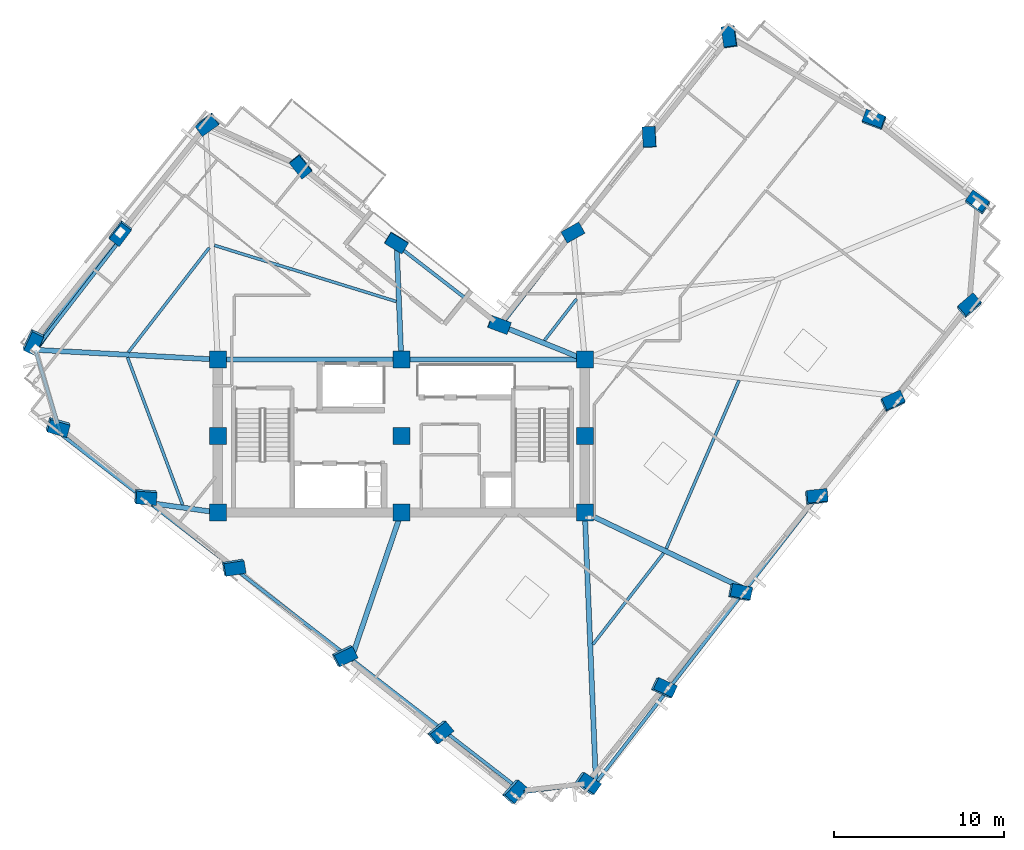
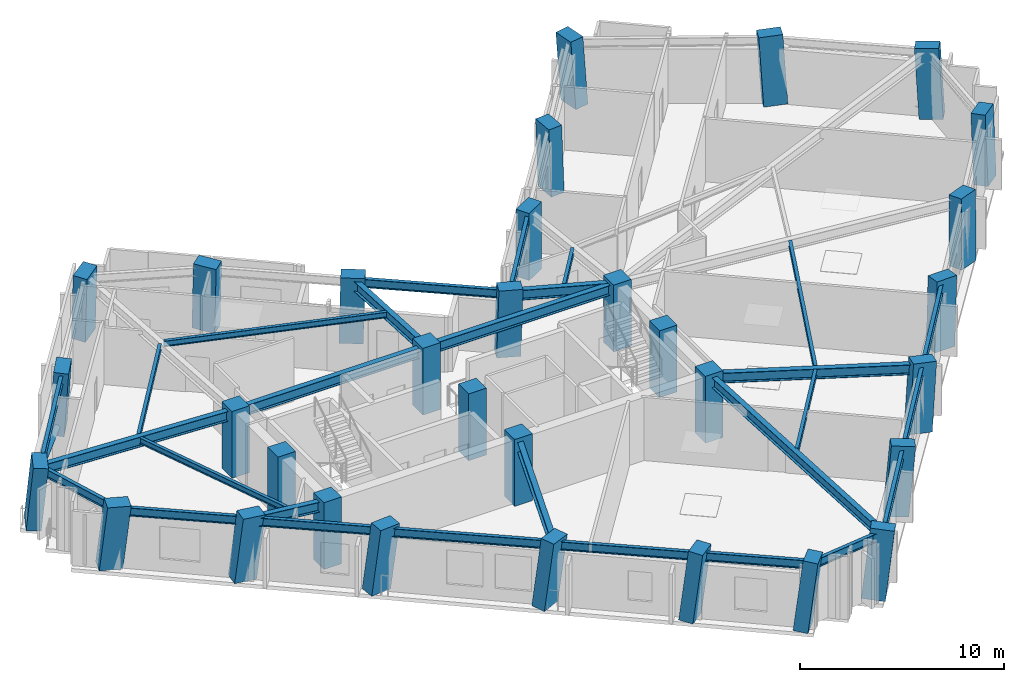
# One storey, part 1 of 10: 32 columns, 28 beams, 1 member.
"""IFC4 building model written with IfcOpenShell, lengths in metres."""

from ifc_helpers import new_model, si_unit, direction, frame, origin, origin_2d, place, context, subcontext, project, spatial, rectangle, hollow_circle, i_section, extrude, material, material_profile, profile_set, type_object, element, save


model = new_model("IFC4")

# Units and contexts
model_context = context("Model", 3, precision=1e-05, world=origin(), true_north=direction((0.0, 1.0)))
body_context = subcontext(model_context, "Body", "Model", "MODEL_VIEW")
ifc_project = project(units=[si_unit("LENGTHUNIT", "METRE"), si_unit("AREAUNIT", "SQUARE_METRE"), si_unit("VOLUMEUNIT", "CUBIC_METRE"), si_unit("PLANEANGLEUNIT", "RADIAN"), si_unit("MASSUNIT", "GRAM", prefix="KILO")], contexts=[model_context])

# Site, building, storey
site_placement = place(None, origin())
site = spatial("IfcSite", under=ifc_project, at=site_placement, CompositionType="ELEMENT")
building_placement = place(site_placement, origin())
building = spatial("IfcBuilding", under=site, at=building_placement, Name="Gaonmaruhae Medical Tower", CompositionType="ELEMENT")
storey_placement = place(building_placement, frame((0.0, 0.0, 243.199951171875)))
storey = spatial("IfcBuildingStorey", under=building, at=storey_placement, Name="L58", CompositionType="ELEMENT", Elevation=243.199951171875)

# Columns
ifc_material_1 = material(Name="Concrete C50/60", Category="concrete")
ifc_material_profile_1 = material_profile(ifc_material_1, rectangle(XDim=1.0, YDim=1.0, at=origin_2d()), Name="RC-1000x1000")
ifc_profile_set_1 = profile_set([ifc_material_profile_1], Name="Concrete C50/60")
column_type_1 = type_object("IfcColumnType", Name="CC-05 Zone 4 Core Column (RC-1000x1000)", PredefinedType="COLUMN", material=ifc_profile_set_1)
for number, where, z_axis, x_axis, name in (
    (1, (14.0, 7.800048828125, 0.0), (0.0, 0.0, 1.0), (1.0, 0.0, 0.0), "L58 Plumb Core Column CC11"),
    (2, (14.0, 12.300048828125, 0.0), (0.0, 0.0, 1.0), (1.0, 0.0, 0.0), "L58 Plumb Core Column CC12"),
    (3, (14.0, 16.800048828125, 0.0), (0.0, 0.0, 1.0), (1.0, 0.0, 0.0), "L58 Plumb Core Column CC13"),
    (4, (24.800048828125, 7.800048828125, 0.0), (0.0, 0.0, 1.0), (1.0, 0.0, 0.0), "L58 Plumb Core Column CC21"),
    (5, (24.800048828125, 12.300048828125, 0.0), (0.0, 0.0, 1.0), (1.0, 0.0, 0.0), "L58 Plumb Core Column CC22"),
    (6, (24.800048828125, 16.800048828125, 0.0), (0.0, 0.0, 1.0), (1.0, 0.0, 0.0), "L58 Plumb Core Column CC23"),
    (7, (35.60009765625, 7.800048828125, 0.0), (0.0, 0.0, 1.0), (1.0, 0.0, 0.0), "L58 Plumb Core Column CC31"),
    (8, (35.60009765625, 12.300048828125, 0.0), (0.0, 0.0, 1.0), (1.0, 0.0, 0.0), "L58 Plumb Core Column CC32"),
    (9, (35.60009765625, 16.800048828125, 0.0), (0.0, 0.0, 1.0), (1.0, 0.0, 0.0), "L58 Plumb Core Column CC33"),
):
    element("IfcColumn", number, at=place(storey_placement, frame(where, z_axis=z_axis, x_axis=x_axis)), inside=storey, type_object=column_type_1, Name=name, PredefinedType="COLUMN", context=body_context, shape_type="SweptSolid", body=[
        extrude(rectangle(XDim=1.0, YDim=1.0, at=origin_2d()), origin(), (0.0, 0.0, 1.0), 4.0),
    ])
ifc_material_profile_2 = material_profile(ifc_material_1, rectangle(XDim=1.199951171875, YDim=0.75, at=origin_2d()), Name="RC-1200x750")
ifc_profile_set_2 = profile_set([ifc_material_profile_2], Name="Concrete C50/60")
column_type_2 = type_object("IfcColumnType", Name="TC-03 Upper Raking Tube Pier Column (RC-1200x750)", PredefinedType="COLUMN", material=ifc_profile_set_2)
column_1_placement = place(storey_placement, frame((35.708984375, -8.154052734375, 0.001953125), z_axis=(0.135217529661, 0.009744862254, 0.990768013882), x_axis=(-0.816168732472, 0.56804456652, 0.10580156229)))
element("IfcColumn", 10, at=column_1_placement, inside=storey, type_object=column_type_2, Name="L58 Perimeter Tube Column S01", PredefinedType="COLUMN", context=body_context, shape_type="SweptSolid", body=[
    extrude(rectangle(XDim=1.199951171875, YDim=0.75, at=origin_2d()), origin(), (0.0, 0.0, 1.0), 4.03369140625),
])
column_2_placement = place(storey_placement, frame((40.210693359375, -2.534912109375, 0.001953125), z_axis=(0.11231894172, 0.028155585607, 0.993273234478), x_axis=(-0.903945107559, 0.417991194492, 0.090369263843)))
element("IfcColumn", 11, at=column_2_placement, inside=storey, type_object=column_type_2, Name="L58 Perimeter Tube Column S02", PredefinedType="COLUMN", context=body_context, shape_type="SweptSolid", body=[
    extrude(rectangle(XDim=1.199951171875, YDim=0.75, at=origin_2d()), origin(), (0.0, 0.0, 1.0), 4.0234375),
])
column_3_placement = place(storey_placement, frame((44.71240234375, 3.084228515625, 0.001953125), z_axis=(0.089166068551, 0.046558424342, 0.994928000079), x_axis=(-0.977687952498, 0.194842278768, 0.078503209773)))
element("IfcColumn", 12, at=column_3_placement, inside=storey, type_object=column_type_2, Name="L58 Perimeter Tube Column S03", PredefinedType="COLUMN", context=body_context, shape_type="SweptSolid", body=[
    extrude(rectangle(XDim=1.199951171875, YDim=0.75, at=origin_2d()), origin(), (0.0, 0.0, 1.0), 4.0166015625),
])
column_4_placement = place(storey_placement, frame((49.214111328125, 8.703369140625, 0.001953125), z_axis=(0.065877853379, 0.064965417737, 0.995710601999), x_axis=(-0.992318458895, -0.100449894077, 0.072207305141)))
element("IfcColumn", 13, at=column_4_placement, inside=storey, type_object=column_type_2, Name="L58 Perimeter Tube Column S04", PredefinedType="COLUMN", context=body_context, shape_type="SweptSolid", body=[
    extrude(rectangle(XDim=1.199951171875, YDim=0.75, at=origin_2d()), origin(), (0.0, 0.0, 1.0), 4.013671875),
])
column_5_placement = place(storey_placement, frame((53.7158203125, 14.322509765625, 0.001953125), z_axis=(0.042515411902, 0.0833277744, 0.995614846095), x_axis=(-0.91007427628, -0.407964187459, 0.073007077765)))
element("IfcColumn", 14, at=column_5_placement, inside=storey, type_object=column_type_2, Name="L58 Perimeter Tube Column S05", PredefinedType="COLUMN", context=body_context, shape_type="SweptSolid", body=[
    extrude(rectangle(XDim=1.199951171875, YDim=0.75, at=origin_2d()), origin(), (0.0, 0.0, 1.0), 4.013916015625),
])
column_6_placement = place(storey_placement, frame((58.217529296875, 19.94140625, 0.001953125), z_axis=(0.019140338397, 0.10171722691, 0.994629203872), x_axis=(-0.758005842311, -0.647226631841, 0.080776420186)))
element("IfcColumn", 15, at=column_6_placement, inside=storey, type_object=column_type_2, Name="L58 Perimeter Tube Column S06", PredefinedType="COLUMN", context=body_context, shape_type="SweptSolid", body=[
    extrude(rectangle(XDim=1.199951171875, YDim=0.75, at=origin_2d()), origin(), (0.0, 0.0, 1.0), 4.017822265625),
])
column_7_placement = place(storey_placement, frame((58.721435546875, 26.008544921875, 0.001953125), z_axis=(-0.005833123973, 0.103537950515, 0.994608399054), x_axis=(0.81417436665, -0.576988739135, 0.064838997537)))
element("IfcColumn", 16, at=column_7_placement, inside=storey, type_object=column_type_2, Name="L58 Perimeter Tube Column E01", PredefinedType="COLUMN", context=body_context, shape_type="SweptSolid", body=[
    extrude(rectangle(XDim=1.199951171875, YDim=0.75, at=origin_2d()), origin(), (0.0, 0.0, 1.0), 4.01806640625),
])
column_8_placement = place(storey_placement, frame((52.634033203125, 30.885498046875, 0.001953125), z_axis=(-0.025814199525, 0.078416719311, 0.996586396273), x_axis=(0.936134083823, -0.347834131917, 0.05161776611)))
element("IfcColumn", 17, at=column_8_placement, inside=storey, type_object=column_type_2, Name="L58 Perimeter Tube Column E02", PredefinedType="COLUMN", context=body_context, shape_type="SweptSolid", body=[
    extrude(rectangle(XDim=1.199951171875, YDim=0.75, at=origin_2d()), origin(), (0.0, 0.0, 1.0), 4.010009765625),
])
column_9_placement = place(storey_placement, frame((44.1259765625, 35.779541015625, 0.001953125), z_axis=(-0.045788475912, 0.043166765574, 0.998018058866), x_axis=(0.137842750982, -0.989235806213, 0.049111054847)))
element("IfcColumn", 18, at=column_9_placement, inside=storey, type_object=column_type_2, Name="L58 Perimeter Tube Column E03", PredefinedType="COLUMN", context=body_context, shape_type="SweptSolid", body=[
    extrude(rectangle(XDim=1.199951171875, YDim=0.75, at=origin_2d()), origin(), (0.0, 0.0, 1.0), 4.00439453125),
])
column_10_placement = place(storey_placement, frame((39.4052734375, 29.88720703125, 0.001953125), z_axis=(-0.021248837038, 0.02387441173, 0.999489119195), x_axis=(0.051546254437, -0.998359061972, 0.024943276301)))
element("IfcColumn", 19, at=column_10_placement, inside=storey, type_object=column_type_2, Name="L58 Perimeter Tube Column EN01", PredefinedType="COLUMN", context=body_context, shape_type="SweptSolid", body=[
    extrude(rectangle(XDim=1.199951171875, YDim=0.75, at=origin_2d()), origin(), (0.0, 0.0, 1.0), 3.998291015625),
])
column_11_placement = place(storey_placement, frame((34.903564453125, 24.26806640625, 0.001953125), z_axis=(0.0021992413, 0.005437013213, 0.999982800965), x_axis=(-0.872261093327, -0.489019053167, 0.004577194397)))
element("IfcColumn", 20, at=column_11_placement, inside=storey, type_object=column_type_2, Name="L58 Perimeter Tube Column EN02", PredefinedType="COLUMN", context=body_context, shape_type="SweptSolid", body=[
    extrude(rectangle(XDim=1.199951171875, YDim=0.75, at=origin_2d()), origin(), (0.0, 0.0, 1.0), 3.996337890625),
])
column_12_placement = place(storey_placement, frame((30.558349609375, 18.843994140625, 0.001953125), z_axis=(0.024793450183, -0.012396725092, 0.999615729185), x_axis=(-0.937758754532, 0.346192687734, 0.027552518172)))
element("IfcColumn", 21, at=column_12_placement, inside=storey, type_object=column_type_2, Name="L58 Perimeter Tube Column KN01", PredefinedType="COLUMN", context=body_context, shape_type="SweptSolid", body=[
    extrude(rectangle(XDim=1.199951171875, YDim=0.75, at=origin_2d()), origin(), (0.0, 0.0, 1.0), 3.997802734375),
])
column_13_placement = place(storey_placement, frame((24.510009765625, 23.689697265625, 0.001953125), z_axis=(0.004883771745, -0.037605042434, 0.999280746115), x_axis=(-0.854397237481, 0.51907919368, 0.023709729507)))
element("IfcColumn", 22, at=column_13_placement, inside=storey, type_object=column_type_2, Name="L58 Perimeter Tube Column NE01", PredefinedType="COLUMN", context=body_context, shape_type="SweptSolid", body=[
    extrude(rectangle(XDim=1.199951171875, YDim=0.75, at=origin_2d()), origin(), (0.0, 0.0, 1.0), 3.999267578125),
])
column_14_placement = place(storey_placement, frame((18.890869140625, 28.19140625, 0.001953125), z_axis=(-0.013535743812, -0.060971818971, 0.998047704737), x_axis=(-0.626641531629, 0.778328635987, 0.039050291158)))
element("IfcColumn", 23, at=column_14_placement, inside=storey, type_object=column_type_2, Name="L58 Perimeter Tube Column NE02", PredefinedType="COLUMN", context=body_context, shape_type="SweptSolid", body=[
    extrude(rectangle(XDim=1.199951171875, YDim=0.75, at=origin_2d()), origin(), (0.0, 0.0, 1.0), 4.004150390625),
])
column_15_placement = place(storey_placement, frame((13.387451171875, 30.678466796875, 0.001953125), z_axis=(-0.023613569545, -0.083682108569, 0.996212680123), x_axis=(0.812887941934, 0.578453483129, 0.067858394573)))
element("IfcColumn", 24, at=column_15_placement, inside=storey, type_object=column_type_2, Name="L58 Perimeter Tube Column N01", PredefinedType="COLUMN", context=body_context, shape_type="SweptSolid", body=[
    extrude(rectangle(XDim=1.199951171875, YDim=0.75, at=origin_2d()), origin(), (0.0, 0.0, 1.0), 4.011474609375),
])
column_16_placement = place(storey_placement, frame((8.260498046875, 24.27880859375, 0.001953125), z_axis=(0.002977078982, -0.104440791242, 0.994526650284), x_axis=(0.60287341433, 0.793658975019, 0.081541876764)))
element("IfcColumn", 25, at=column_16_placement, inside=storey, type_object=column_type_2, Name="L58 Perimeter Tube Column N02", PredefinedType="COLUMN", context=body_context, shape_type="SweptSolid", body=[
    extrude(rectangle(XDim=1.199951171875, YDim=0.75, at=origin_2d()), origin(), (0.0, 0.0, 1.0), 4.018310546875),
])
column_17_placement = place(storey_placement, frame((3.133544921875, 17.879150390625, 0.001953125), z_axis=(0.029505004026, -0.124987316851, 0.991719529587), x_axis=(0.430698749821, 0.896913345621, 0.100224933768)))
element("IfcColumn", 26, at=column_17_placement, inside=storey, type_object=column_type_2, Name="L58 Perimeter Tube Column N03", PredefinedType="COLUMN", context=body_context, shape_type="SweptSolid", body=[
    extrude(rectangle(XDim=1.199951171875, YDim=0.75, at=origin_2d()), origin(), (0.0, 0.0, 1.0), 4.02978515625),
])
column_18_placement = place(storey_placement, frame((4.57470703125, 12.880615234375, 0.001953125), z_axis=(0.04997942226, -0.118860153303, 0.991652318763), x_axis=(-0.959748010489, 0.269043317584, 0.080619164137)))
element("IfcColumn", 27, at=column_18_placement, inside=storey, type_object=column_type_2, Name="L58 Perimeter Tube Column W01", PredefinedType="COLUMN", context=body_context, shape_type="SweptSolid", body=[
    extrude(rectangle(XDim=1.199951171875, YDim=0.75, at=origin_2d()), origin(), (0.0, 0.0, 1.0), 4.030029296875),
])
column_19_placement = place(storey_placement, frame((9.7255859375, 8.754150390625, 0.001953125), z_axis=(0.066848814978, -0.09772544549, 0.992965746257), x_axis=(-0.994667825024, 0.07180168836, 0.074029962925)))
element("IfcColumn", 28, at=column_19_placement, inside=storey, type_object=column_type_2, Name="L58 Perimeter Tube Column W02", PredefinedType="COLUMN", context=body_context, shape_type="SweptSolid", body=[
    extrude(rectangle(XDim=1.199951171875, YDim=0.75, at=origin_2d()), origin(), (0.0, 0.0, 1.0), 4.024658203125),
])
column_20_placement = place(storey_placement, frame((14.915283203125, 4.59619140625, 0.001953125), z_axis=(0.083883747225, -0.076235880257, 0.993555034969), x_axis=(-0.984611682018, -0.159740522039, 0.070871723921)))
element("IfcColumn", 29, at=column_20_placement, inside=storey, type_object=column_type_2, Name="L58 Perimeter Tube Column W03", PredefinedType="COLUMN", context=body_context, shape_type="SweptSolid", body=[
    extrude(rectangle(XDim=1.199951171875, YDim=0.75, at=origin_2d()), origin(), (0.0, 0.0, 1.0), 4.022216796875),
])
column_21_placement = place(storey_placement, frame((21.43212890625, -0.62451171875, 0.001953125), z_axis=(0.105094899911, -0.049210140778, 0.993243889514), x_axis=(-0.893364180772, -0.443436549921, 0.072556644823)))
element("IfcColumn", 30, at=column_21_placement, inside=storey, type_object=column_type_2, Name="L58 Perimeter Tube Column W04", PredefinedType="COLUMN", context=body_context, shape_type="SweptSolid", body=[
    extrude(rectangle(XDim=1.199951171875, YDim=0.75, at=origin_2d()), origin(), (0.0, 0.0, 1.0), 4.0234375),
])
column_22_placement = place(storey_placement, frame((27.05126953125, -5.126220703125, 0.001953125), z_axis=(0.123269637986, -0.025878139341, 0.992035744444), x_axis=(-0.767372566689, -0.6363467869, 0.07875348052)))
element("IfcColumn", 31, at=column_22_placement, inside=storey, type_object=column_type_2, Name="L58 Perimeter Tube Column W05", PredefinedType="COLUMN", context=body_context, shape_type="SweptSolid", body=[
    extrude(rectangle(XDim=1.199951171875, YDim=0.75, at=origin_2d()), origin(), (0.0, 0.0, 1.0), 4.0283203125),
])
column_23_placement = place(storey_placement, frame((31.421630859375, -8.62744140625, 0.001953125), z_axis=(0.137298679474, -0.007805874681, 0.990498935353), x_axis=(-0.662602184612, -0.744019598219, 0.085983617125)))
element("IfcColumn", 32, at=column_23_placement, inside=storey, type_object=column_type_2, Name="L58 Perimeter Tube Column W06", PredefinedType="COLUMN", context=body_context, shape_type="SweptSolid", body=[
    extrude(rectangle(XDim=1.199951171875, YDim=0.75, at=origin_2d()), origin(), (0.0, 0.0, 1.0), 4.03466796875),
])

# Beams
ifc_material_2 = material(Name="Steel SM355", Category="steel")
ifc_material_profile_3 = material_profile(ifc_material_2, i_section(OverallWidth=0.175048828125, OverallDepth=0.35009765625, WebThickness=0.007080078125, FlangeThickness=0.010986328125, FilletRadius=0.012939453125, at=origin_2d()), Name="H-350x175x7x11")
ifc_profile_set_3 = profile_set([ifc_material_profile_3], Name="Steel SM355")
beam_type_1 = type_object("IfcBeamType", Name="FJ-02 Upper Zone Ward Floor Joist (H-350x175x7x11)", PredefinedType="JOIST", material=ifc_profile_set_3)
beam_1_placement = place(storey_placement, frame((36.073486328125, 0.031494140625, 3.60498046875), z_axis=(0.612241965878, 0.790670459305, 0.0), x_axis=(-0.790670459305, 0.612241965878, 0.0)))
element("IfcBeam", 33, at=beam_1_placement, inside=storey, type_object=beam_type_1, Name="L58 Secondary Floor Joist FJ01", PredefinedType="JOIST", context=body_context, shape_type="SweptSolid", body=[
    extrude(i_section(OverallWidth=0.175048828125, OverallDepth=0.35009765625, WebThickness=0.007080078125, FlangeThickness=0.010986328125, FilletRadius=0.012939453125, at=origin_2d()), origin(), (0.0, 0.0, 1.0), 6.8017578125),
])
beam_2_placement = place(storey_placement, frame((40.397216796875, 5.678955078125, 3.60498046875), z_axis=(0.396930218767, 0.917848790068, 0.0), x_axis=(-0.917848790068, 0.396930218767, 0.0)))
element("IfcBeam", 34, at=beam_2_placement, inside=storey, type_object=beam_type_1, Name="L58 Secondary Floor Joist FJ02", PredefinedType="JOIST", context=body_context, shape_type="SweptSolid", body=[
    extrude(i_section(OverallWidth=0.175048828125, OverallDepth=0.35009765625, WebThickness=0.007080078125, FlangeThickness=0.010986328125, FilletRadius=0.012939453125, at=origin_2d()), origin(), (0.0, 0.0, 1.0), 10.78662109375),
])
beam_3_placement = place(storey_placement, frame((35.117919921875, 20.3662109375, 3.60498046875), z_axis=(-0.612252940769, -0.790661960967, 0.0), x_axis=(0.790661960967, -0.612252940769, 0.0)))
element("IfcBeam", 35, at=beam_3_placement, inside=storey, type_object=beam_type_1, Name="L58 Secondary Floor Joist FJ05", PredefinedType="JOIST", context=body_context, shape_type="SweptSolid", body=[
    extrude(i_section(OverallWidth=0.175048828125, OverallDepth=0.35009765625, WebThickness=0.007080078125, FlangeThickness=0.010986328125, FilletRadius=0.012939453125, at=origin_2d()), origin(), (0.0, 0.0, 1.0), 3.087158203125),
])
beam_4_placement = place(storey_placement, frame((24.507080078125, 20.21826171875, 3.60498046875), z_axis=(-0.95549863635, 0.294995518497, 0.0), x_axis=(-0.294995518497, -0.95549863635, 0.0)))
element("IfcBeam", 36, at=beam_4_placement, inside=storey, type_object=beam_type_1, Name="L58 Secondary Floor Joist FJ07", PredefinedType="JOIST", context=body_context, shape_type="SweptSolid", body=[
    extrude(i_section(OverallWidth=0.175048828125, OverallDepth=0.35009765625, WebThickness=0.007080078125, FlangeThickness=0.010986328125, FilletRadius=0.012939453125, at=origin_2d()), origin(), (0.0, 0.0, 1.0), 11.200927734375),
])
beam_5_placement = place(storey_placement, frame((13.501953125, 23.384765625, 3.60498046875), z_axis=(-0.612221953109, -0.790685955441, 0.0), x_axis=(0.790685955441, -0.612221953109, 0.0)))
element("IfcBeam", 37, at=beam_5_placement, inside=storey, type_object=beam_type_1, Name="L58 Secondary Floor Joist FJ08", PredefinedType="JOIST", context=body_context, shape_type="SweptSolid", body=[
    extrude(i_section(OverallWidth=0.175048828125, OverallDepth=0.35009765625, WebThickness=0.007080078125, FlangeThickness=0.010986328125, FilletRadius=0.012939453125, at=origin_2d()), origin(), (0.0, 0.0, 1.0), 7.77587890625),
])
beam_6_placement = place(storey_placement, frame((8.685791015625, 16.9287109375, 3.60498046875), z_axis=(0.350502896846, -0.936561647358, 0.0), x_axis=(0.936561647358, 0.350502896846, 0.0)))
element("IfcBeam", 38, at=beam_6_placement, inside=storey, type_object=beam_type_1, Name="L58 Secondary Floor Joist FJ09", PredefinedType="JOIST", context=body_context, shape_type="SweptSolid", body=[
    extrude(i_section(OverallWidth=0.175048828125, OverallDepth=0.35009765625, WebThickness=0.007080078125, FlangeThickness=0.010986328125, FilletRadius=0.012939453125, at=origin_2d()), origin(), (0.0, 0.0, 1.0), 9.27099609375),
])

# Member
ifc_material_profile_4 = material_profile(ifc_material_2, hollow_circle(Radius=0.1591796875, WallThickness=0.01025390625, at=origin_2d()), Name="CHS-318.5x10.3")
ifc_profile_set_4 = profile_set([ifc_material_profile_4], Name="Steel SM355")
member_type = type_object("IfcMemberType", Name="PB-03 Perimeter Solid-Bay Tube Brace Upper (CHS-318.5x10.3)", PredefinedType="BRACE", material=ifc_profile_set_4)
member_placement = place(storey_placement, frame((8.260498046875, 24.279052734375, 0.25), z_axis=(-0.548051438725, -0.755511070261, 0.358946574332), x_axis=(0.809454660774, -0.58718238406, 0.0)))
element("IfcMember", 39, at=member_placement, inside=storey, type_object=member_type, Name="L58 Perimeter Tube Solid-Bay Brace N02-N03", PredefinedType="BRACE", context=body_context, shape_type="SweptSolid", body=[
    extrude(hollow_circle(Radius=0.1591796875, WallThickness=0.01025390625, at=origin_2d()), origin(), (0.0, 0.0, 1.0), 9.137939453125),
])

# Beams
ifc_material_3 = material(Name="Steel SM420", Category="steel")
ifc_material_profile_5 = material_profile(ifc_material_3, i_section(OverallWidth=0.300048828125, OverallDepth=0.60009765625, WebThickness=0.011962890625, FlangeThickness=0.02001953125, FilletRadius=0.012939453125, at=origin_2d()), Name="H-600x300x12x20")
ifc_profile_set_5 = profile_set([ifc_material_profile_5], Name="Steel SM420")
beam_type_2 = type_object("IfcBeamType", Name="PG-04 Zone 4 Radial Floor Girder (H-600x300x12x20)", PredefinedType="BEAM", material=ifc_profile_set_5)
for number, where, z_axis, x_axis, name in (
    (40, (14.050048828125, 16.800048828125, 3.47998046875), (1.0, 0.0, 0.0), (0.0, 1.0, 0.0), "L58 Beam BM-L58-CG-N1"),
    (41, (24.85009765625, 16.800048828125, 3.47998046875), (1.0, 0.0, 0.0), (0.0, 1.0, 0.0), "L58 Beam BM-L58-CG-N2"),
):
    element("IfcBeam", number, at=place(storey_placement, frame(where, z_axis=z_axis, x_axis=x_axis)), inside=storey, type_object=beam_type_2, Name=name, PredefinedType="BEAM", context=body_context, shape_type="SweptSolid", body=[
        extrude(i_section(OverallWidth=0.300048828125, OverallDepth=0.60009765625, WebThickness=0.011962890625, FlangeThickness=0.02001953125, FilletRadius=0.012939453125, at=origin_2d()), origin(), (0.0, 0.0, 1.0), 10.699951171875),
    ])
beam_7_placement = place(storey_placement, frame((35.60205078125, 7.75, 3.47998046875), z_axis=(0.041106372288, -0.999154775877, 0.0), x_axis=(0.999154775877, 0.041106372288, 0.0)))
element("IfcBeam", 42, at=beam_7_placement, inside=storey, type_object=beam_type_2, Name="L58 Radial Primary Girder S01", PredefinedType="BEAM", context=body_context, shape_type="SweptSolid", body=[
    extrude(i_section(OverallWidth=0.300048828125, OverallDepth=0.60009765625, WebThickness=0.011962890625, FlangeThickness=0.02001953125, FilletRadius=0.012939453125, at=origin_2d()), origin(), (0.0, 0.0, 1.0), 15.828125),
])
beam_8_placement = place(storey_placement, frame((35.64501953125, 7.7783203125, 3.47998046875), z_axis=(0.902163623451, -0.431394015399, 0.0), x_axis=(0.431394015399, 0.902163623451, 0.0)))
element("IfcBeam", 43, at=beam_8_placement, inside=storey, type_object=beam_type_2, Name="L58 Radial Primary Girder S03", PredefinedType="BEAM", context=body_context, shape_type="SweptSolid", body=[
    extrude(i_section(OverallWidth=0.300048828125, OverallDepth=0.60009765625, WebThickness=0.011962890625, FlangeThickness=0.02001953125, FilletRadius=0.012939453125, at=origin_2d()), origin(), (0.0, 0.0, 1.0), 10.39794921875),
])
beam_9_placement = place(storey_placement, frame((35.5537109375, 16.818603515625, 3.47998046875), z_axis=(-0.927329400915, 0.374246151882, 0.0), x_axis=(-0.374246151882, -0.927329400915, 0.0)))
element("IfcBeam", 44, at=beam_9_placement, inside=storey, type_object=beam_type_2, Name="L58 Radial Primary Girder KN01", PredefinedType="BEAM", context=body_context, shape_type="SweptSolid", body=[
    extrude(i_section(OverallWidth=0.300048828125, OverallDepth=0.60009765625, WebThickness=0.011962890625, FlangeThickness=0.02001953125, FilletRadius=0.012939453125, at=origin_2d()), origin(), (0.0, 0.0, 1.0), 5.22998046875),
])
beam_10_placement = place(storey_placement, frame((24.798095703125, 16.849853515625, 3.47998046875), z_axis=(-0.04012210716, 0.999194784072, 0.0), x_axis=(-0.999194784072, -0.04012210716, 0.0)))
element("IfcBeam", 45, at=beam_10_placement, inside=storey, type_object=beam_type_2, Name="L58 Radial Primary Girder NE01", PredefinedType="BEAM", context=body_context, shape_type="SweptSolid", body=[
    extrude(i_section(OverallWidth=0.300048828125, OverallDepth=0.60009765625, WebThickness=0.011962890625, FlangeThickness=0.02001953125, FilletRadius=0.012939453125, at=origin_2d()), origin(), (0.0, 0.0, 1.0), 6.644775390625),
])
beam_11_placement = place(storey_placement, frame((13.949951171875, 16.802734375, 3.47998046875), z_axis=(-0.998571079228, 0.053439683097, 0.0), x_axis=(-0.053439683097, -0.998571079228, 0.0)))
element("IfcBeam", 46, at=beam_11_placement, inside=storey, type_object=beam_type_2, Name="L58 Radial Primary Girder N03", PredefinedType="BEAM", context=body_context, shape_type="SweptSolid", body=[
    extrude(i_section(OverallWidth=0.300048828125, OverallDepth=0.60009765625, WebThickness=0.011962890625, FlangeThickness=0.02001953125, FilletRadius=0.012939453125, at=origin_2d()), origin(), (0.0, 0.0, 1.0), 10.662841796875),
])
beam_12_placement = place(storey_placement, frame((13.950439453125, 7.806884765625, 3.47998046875), z_axis=(-0.990341746674, 0.138647844534, 0.0), x_axis=(-0.138647844534, -0.990341746674, 0.0)))
element("IfcBeam", 47, at=beam_12_placement, inside=storey, type_object=beam_type_2, Name="L58 Radial Primary Girder W02", PredefinedType="BEAM", context=body_context, shape_type="SweptSolid", body=[
    extrude(i_section(OverallWidth=0.300048828125, OverallDepth=0.60009765625, WebThickness=0.011962890625, FlangeThickness=0.02001953125, FilletRadius=0.012939453125, at=origin_2d()), origin(), (0.0, 0.0, 1.0), 3.9443359375),
])
beam_13_placement = place(storey_placement, frame((24.783935546875, 7.752685546875, 3.4599609375), z_axis=(-0.323224923594, -0.946322169648, 0.0), x_axis=(0.946322169648, -0.323224923594, 0.0)))
element("IfcBeam", 48, at=beam_13_placement, inside=storey, type_object=beam_type_2, Name="L58 Radial Primary Girder W04", PredefinedType="BEAM", context=body_context, shape_type="SweptSolid", body=[
    extrude(i_section(OverallWidth=0.300048828125, OverallDepth=0.60009765625, WebThickness=0.011962890625, FlangeThickness=0.02001953125, FilletRadius=0.012939453125, at=origin_2d()), origin(), (0.0, 0.0, 1.0), 9.01171875),
])
ifc_material_profile_6 = material_profile(ifc_material_2, i_section(OverallWidth=0.199951171875, OverallDepth=0.5, WebThickness=0.010009765625, FlangeThickness=0.01611328125, FilletRadius=0.012939453125, at=origin_2d()), Name="H-500x200x10x16")
ifc_profile_set_6 = profile_set([ifc_material_profile_6], Name="Steel SM355")
beam_type_3 = type_object("IfcBeamType", Name="SP-02 Upper Perimeter Spandrel Beam (H-500x200x10x16)", PredefinedType="SPANDREL", material=ifc_profile_set_6)
beam_14_placement = place(storey_placement, frame((36.279296875, -8.0830078125, 3.530029296875), z_axis=(0.612213305011, 0.79069265152, 0.0), x_axis=(-0.79069265152, 0.612213305011, 0.0)))
element("IfcBeam", 49, at=beam_14_placement, inside=storey, type_object=beam_type_3, Name="L58 Perimeter Spandrel Beam S01-S02", PredefinedType="SPANDREL", context=body_context, shape_type="SweptSolid", body=[
    extrude(i_section(OverallWidth=0.199951171875, OverallDepth=0.5, WebThickness=0.010009765625, FlangeThickness=0.01611328125, FilletRadius=0.012939453125, at=origin_2d()), origin(), (0.0, 0.0, 1.0), 7.119873046875),
])
beam_15_placement = place(storey_placement, frame((40.687255859375, -2.39013671875, 3.530029296875), z_axis=(0.612196706487, 0.790705503058, 0.0), x_axis=(-0.790705503058, 0.612196706487, 0.0)))
element("IfcBeam", 50, at=beam_15_placement, inside=storey, type_object=beam_type_3, Name="L58 Perimeter Spandrel Beam S02-S03", PredefinedType="SPANDREL", context=body_context, shape_type="SweptSolid", body=[
    extrude(i_section(OverallWidth=0.199951171875, OverallDepth=0.5, WebThickness=0.010009765625, FlangeThickness=0.01611328125, FilletRadius=0.012939453125, at=origin_2d()), origin(), (0.0, 0.0, 1.0), 7.1201171875),
])
beam_16_placement = place(storey_placement, frame((45.09521484375, 3.302978515625, 3.530029296875), z_axis=(0.612213305011, 0.79069265152, 0.0), x_axis=(-0.79069265152, 0.612213305011, 0.0)))
element("IfcBeam", 51, at=beam_16_placement, inside=storey, type_object=beam_type_3, Name="L58 Perimeter Spandrel Beam S03-S04", PredefinedType="SPANDREL", context=body_context, shape_type="SweptSolid", body=[
    extrude(i_section(OverallWidth=0.199951171875, OverallDepth=0.5, WebThickness=0.010009765625, FlangeThickness=0.01611328125, FilletRadius=0.012939453125, at=origin_2d()), origin(), (0.0, 0.0, 1.0), 7.119873046875),
])
beam_17_placement = place(storey_placement, frame((34.887939453125, 24.258056640625, 3.530029296875), z_axis=(-0.612239132826, -0.790672653021, 0.0), x_axis=(0.790672653021, -0.612239132826, 0.0)))
element("IfcBeam", 52, at=beam_17_placement, inside=storey, type_object=beam_type_3, Name="L58 Perimeter Spandrel Beam EN02-KN01", PredefinedType="SPANDREL", context=body_context, shape_type="SweptSolid", body=[
    extrude(i_section(OverallWidth=0.199951171875, OverallDepth=0.5, WebThickness=0.010009765625, FlangeThickness=0.01611328125, FilletRadius=0.012939453125, at=origin_2d()), origin(), (0.0, 0.0, 1.0), 6.869873046875),
])
beam_18_placement = place(storey_placement, frame((30.625732421875, 18.819091796875, 3.530029296875), z_axis=(-0.790692392915, 0.612213639007, 0.0), x_axis=(-0.612213639007, -0.790692392915, 0.0)))
element("IfcBeam", 53, at=beam_18_placement, inside=storey, type_object=beam_type_3, Name="L58 Perimeter Spandrel Beam KN01-NE01", PredefinedType="SPANDREL", context=body_context, shape_type="SweptSolid", body=[
    extrude(i_section(OverallWidth=0.199951171875, OverallDepth=0.5, WebThickness=0.010009765625, FlangeThickness=0.01611328125, FilletRadius=0.012939453125, at=origin_2d()), origin(), (0.0, 0.0, 1.0), 7.669921875),
])
beam_19_placement = place(storey_placement, frame((8.248046875, 23.827392578125, 3.530029296875), z_axis=(-0.612215641343, -0.790690842552, 0.0), x_axis=(0.790690842552, -0.612215641343, 0.0)))
element("IfcBeam", 54, at=beam_19_placement, inside=storey, type_object=beam_type_3, Name="L58 Perimeter Spandrel Beam N02-N03", PredefinedType="SPANDREL", context=body_context, shape_type="SweptSolid", body=[
    extrude(i_section(OverallWidth=0.199951171875, OverallDepth=0.5, WebThickness=0.010009765625, FlangeThickness=0.01611328125, FilletRadius=0.012939453125, at=origin_2d()), origin(), (0.0, 0.0, 1.0), 8.1201171875),
])
beam_20_placement = place(storey_placement, frame((3.26416015625, 17.3369140625, 3.530029296875), z_axis=(0.292896592373, -0.956144124166, 0.0), x_axis=(0.956144124166, 0.292896592373, 0.0)))
element("IfcBeam", 55, at=beam_20_placement, inside=storey, type_object=beam_type_3, Name="L58 Perimeter Spandrel Beam N03-W01", PredefinedType="SPANDREL", context=body_context, shape_type="SweptSolid", body=[
    extrude(i_section(OverallWidth=0.199951171875, OverallDepth=0.5, WebThickness=0.010009765625, FlangeThickness=0.01611328125, FilletRadius=0.012939453125, at=origin_2d()), origin(), (0.0, 0.0, 1.0), 5.1220703125),
])
beam_21_placement = place(storey_placement, frame((4.807861328125, 12.376708984375, 3.530029296875), z_axis=(0.790685116181, -0.612223037013, 0.0), x_axis=(0.612223037013, 0.790685116181, 0.0)))
element("IfcBeam", 56, at=beam_21_placement, inside=storey, type_object=beam_type_3, Name="L58 Perimeter Spandrel Beam W01-W02", PredefinedType="SPANDREL", context=body_context, shape_type="SweptSolid", body=[
    extrude(i_section(OverallWidth=0.199951171875, OverallDepth=0.5, WebThickness=0.010009765625, FlangeThickness=0.01611328125, FilletRadius=0.012939453125, at=origin_2d()), origin(), (0.0, 0.0, 1.0), 6.52001953125),
])
beam_22_placement = place(storey_placement, frame((10.0263671875, 8.336181640625, 3.530029296875), z_axis=(0.790692953417, -0.612212915102, 0.0), x_axis=(0.612212915102, 0.790692953417, 0.0)))
element("IfcBeam", 57, at=beam_22_placement, inside=storey, type_object=beam_type_3, Name="L58 Perimeter Spandrel Beam W02-W03", PredefinedType="SPANDREL", context=body_context, shape_type="SweptSolid", body=[
    extrude(i_section(OverallWidth=0.199951171875, OverallDepth=0.5, WebThickness=0.010009765625, FlangeThickness=0.01611328125, FilletRadius=0.012939453125, at=origin_2d()), origin(), (0.0, 0.0, 1.0), 6.570068359375),
])
beam_23_placement = place(storey_placement, frame((15.284423828125, 4.264892578125, 3.510009765625), z_axis=(0.790695126722, -0.612210108197, 0.0), x_axis=(0.612210108197, 0.790695126722, 0.0)))
element("IfcBeam", 58, at=beam_23_placement, inside=storey, type_object=beam_type_3, Name="L58 Perimeter Spandrel Beam W03-W04", PredefinedType="SPANDREL", context=body_context, shape_type="SweptSolid", body=[
    extrude(i_section(OverallWidth=0.199951171875, OverallDepth=0.5, WebThickness=0.010009765625, FlangeThickness=0.01611328125, FilletRadius=0.012939453125, at=origin_2d()), origin(), (0.0, 0.0, 1.0), 8.27001953125),
])
beam_24_placement = place(storey_placement, frame((21.88671875, -0.84716796875, 3.510009765625), z_axis=(0.79069265152, -0.612213305011, 0.0), x_axis=(0.612213305011, 0.79069265152, 0.0)))
element("IfcBeam", 59, at=beam_24_placement, inside=storey, type_object=beam_type_3, Name="L58 Perimeter Spandrel Beam W04-W05", PredefinedType="SPANDREL", context=body_context, shape_type="SweptSolid", body=[
    extrude(i_section(OverallWidth=0.199951171875, OverallDepth=0.5, WebThickness=0.010009765625, FlangeThickness=0.01611328125, FilletRadius=0.012939453125, at=origin_2d()), origin(), (0.0, 0.0, 1.0), 7.119873046875),
])
beam_25_placement = place(storey_placement, frame((27.57958984375, -5.255126953125, 3.530029296875), z_axis=(0.790702988911, -0.612199953714, 0.0), x_axis=(0.612199953714, 0.790702988911, 0.0)))
element("IfcBeam", 60, at=beam_25_placement, inside=storey, type_object=beam_type_3, Name="L58 Perimeter Spandrel Beam W05-W06", PredefinedType="SPANDREL", context=body_context, shape_type="SweptSolid", body=[
    extrude(i_section(OverallWidth=0.199951171875, OverallDepth=0.5, WebThickness=0.010009765625, FlangeThickness=0.01611328125, FilletRadius=0.012939453125, at=origin_2d()), origin(), (0.0, 0.0, 1.0), 5.52001953125),
])
beam_26_placement = place(storey_placement, frame((32.015625, -8.654052734375, 3.530029296875), z_axis=(0.991999487563, 0.126241897464, 0.0), x_axis=(-0.126241897464, 0.991999487563, 0.0)))
element("IfcBeam", 61, at=beam_26_placement, inside=storey, type_object=beam_type_3, Name="L58 Perimeter Spandrel Beam W06-S01", PredefinedType="SPANDREL", context=body_context, shape_type="SweptSolid", body=[
    extrude(i_section(OverallWidth=0.199951171875, OverallDepth=0.5, WebThickness=0.010009765625, FlangeThickness=0.01611328125, FilletRadius=0.012939453125, at=origin_2d()), origin(), (0.0, 0.0, 1.0), 4.2333984375),
])

save(model, "model.ifc")
